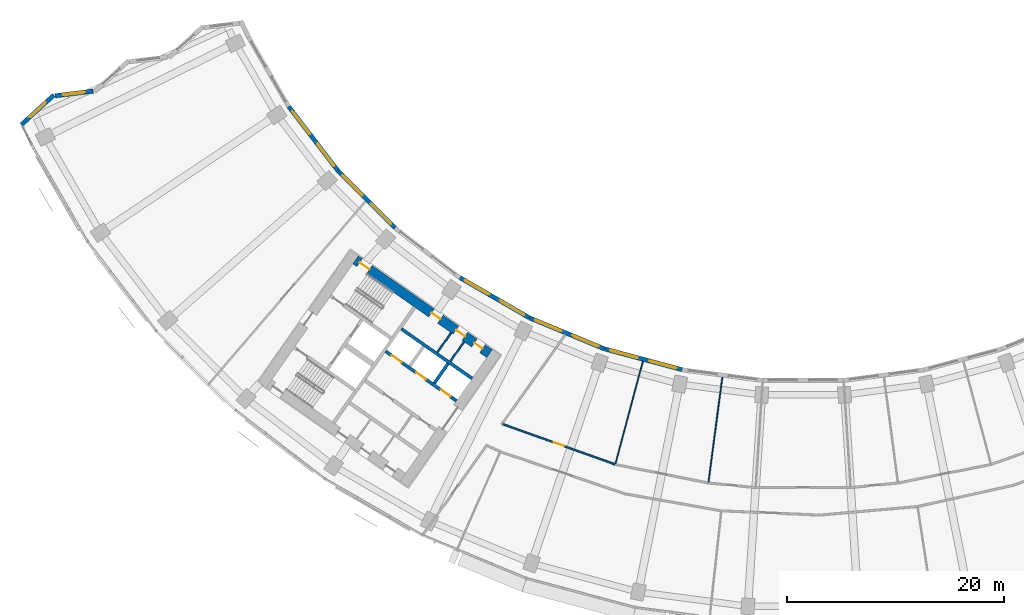
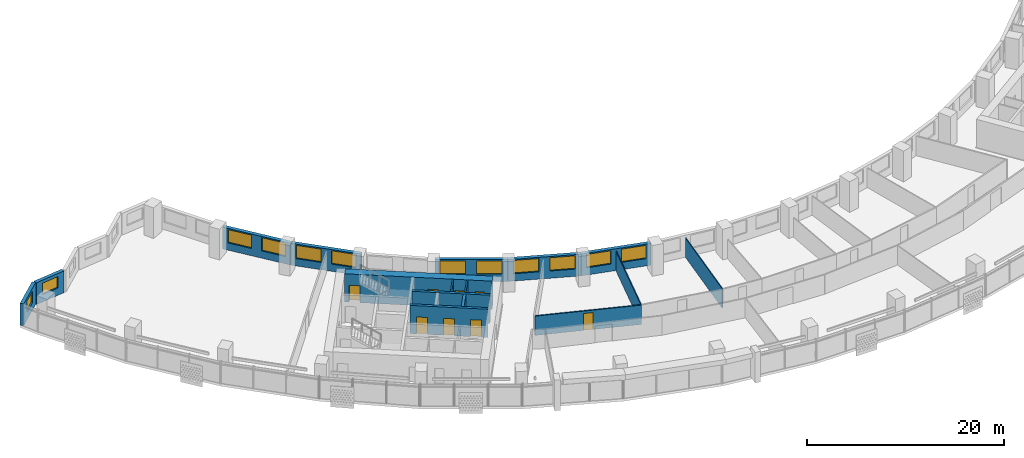
# One storey, part 4 of 29: 16 walls, 12 windows, 8 doors, 20 openings.
"""IFC4 building model written with IfcOpenShell, lengths in metres."""

from ifc_helpers import new_model, si_unit, direction, frame, frame_2d, origin, place, context, subcontext, project, spatial, rectangle, extrude, material, layer, layer_set, type_object, element, fill, save


model = new_model("IFC4")

# Units and contexts
model_context = context("Model", 3, precision=1e-05, world=origin(), true_north=direction((0.0, 1.0)))
body_context = subcontext(model_context, "Body", "Model", "MODEL_VIEW")
ifc_project = project(units=[si_unit("LENGTHUNIT", "METRE"), si_unit("AREAUNIT", "SQUARE_METRE"), si_unit("VOLUMEUNIT", "CUBIC_METRE"), si_unit("PLANEANGLEUNIT", "RADIAN"), si_unit("MASSUNIT", "GRAM", prefix="KILO")], contexts=[model_context])

# Site, building, storey
site_placement = place(None, origin())
site = spatial("IfcSite", under=ifc_project, at=site_placement, CompositionType="ELEMENT")
building_placement = place(site_placement, origin())
building = spatial("IfcBuilding", under=site, at=building_placement, Name="Qamariyya Broadcast Tower", CompositionType="ELEMENT")
storey_placement = place(building_placement, frame((0.0, 0.0, 106.300048828125)))
storey = spatial("IfcBuildingStorey", under=building, at=storey_placement, Name="L23", CompositionType="ELEMENT", Elevation=106.300048828125)

# Wall, openings, doors
ifc_material_1 = material(Name="Concrete C70/85", Category="concrete")
ifc_layer_1 = layer(ifc_material_1, 0.89990234375)
ifc_layer_set_1 = layer_set([ifc_layer_1], Name="Core wall 900 mm Concrete C70/85")
wall_type_1 = type_object("IfcWallType", Name="Core wall 900 mm Concrete C70/85", PredefinedType="SHEAR", material=ifc_layer_set_1)
wall_1_placement = place(storey_placement, frame((-28.8544921875, -54.32421875, 0.0), z_axis=(0.0, 0.0, 1.0), x_axis=(-0.819145767589, 0.573585400304, 0.0)))
wall_1 = element("IfcWall", 1, at=wall_1_placement, inside=storey, type_object=wall_type_1, Name="k-W-L23-WI", PredefinedType="SHEAR", context=body_context, shape_type="SweptSolid", body=[
    extrude(rectangle(XDim=15.04541015625, YDim=0.89990234375, at=frame_2d((7.522705078125, 0.0))), origin(), (0.0, 0.0, 1.0), 3.5),
])
opening_1_placement = place(wall_1_placement, frame((0.800048828125, 0.0, 0.0)))
opening_1 = element("IfcOpeningElement", 2, at=opening_1_placement, cuts=wall_1, Name="Opening KD5-W1", PredefinedType="OPENING", context=body_context, shape_type="SweptSolid", body=[
    extrude(rectangle(XDim=0.89990234375, YDim=2.10009765625, at=frame_2d((0.449951171875, 1.050048828125))), frame((0.0, 0.4599609375, 0.0), z_axis=(0.0, -1.0, 0.0), x_axis=(1.0, 0.0, 0.0)), (0.0, 0.0, 1.0), 0.919921875),
])
opening_2_placement = place(wall_1_placement, frame((2.77490234375, 0.0, 0.0)))
opening_2 = element("IfcOpeningElement", 3, at=opening_2_placement, cuts=wall_1, Name="Opening KD7-W1", PredefinedType="OPENING", context=body_context, shape_type="SweptSolid", body=[
    extrude(rectangle(XDim=1.0, YDim=2.10009765625, at=frame_2d((0.5, 1.050048828125))), frame((0.0, 0.4599609375, 0.0), z_axis=(0.0, -1.0, 0.0), x_axis=(1.0, 0.0, 0.0)), (0.0, 0.0, 1.0), 0.919921875),
])
opening_3_placement = place(wall_1_placement, frame((5.52490234375, 0.0, 0.0)))
opening_3 = element("IfcOpeningElement", 4, at=opening_3_placement, cuts=wall_1, Name="Opening KD6-W2", PredefinedType="OPENING", context=body_context, shape_type="SweptSolid", body=[
    extrude(rectangle(XDim=1.0, YDim=2.10009765625, at=frame_2d((0.5, 1.050048828125))), frame((0.0, 0.4599609375, 0.0), z_axis=(0.0, -1.0, 0.0), x_axis=(1.0, 0.0, 0.0)), (0.0, 0.0, 1.0), 0.919921875),
])
opening_4_placement = place(wall_1_placement, frame((13.495361328125, 0.0, 0.0)))
opening_4 = element("IfcOpeningElement", 5, at=opening_4_placement, cuts=wall_1, Name="Opening KD1-W1", PredefinedType="OPENING", context=body_context, shape_type="SweptSolid", body=[
    extrude(rectangle(XDim=1.10009765625, YDim=2.10009765625, at=frame_2d((0.550048828125, 1.050048828125))), frame((0.0, 0.4599609375, 0.0), z_axis=(0.0, -1.0, 0.0), x_axis=(1.0, 0.0, 0.0)), (0.0, 0.0, 1.0), 0.919921875),
])
ifc_material_2 = material(Name="Steel fire-resisting door leaf", Category="steel")
door_type_1 = type_object("IfcDoorType", Name="Accessible toilet door KD7", OperationType="SINGLE_SWING_LEFT", PredefinedType="DOOR", material=ifc_material_2)
door_1_placement = place(opening_2_placement, origin())
door_1 = element("IfcDoor", 6, at=door_1_placement, inside=storey, type_object=door_type_1, Name="k-W-L23-WI-D8", OperationType="SINGLE_SWING_LEFT", OverallHeight=2.10009765625, OverallWidth=1.0, PredefinedType="DOOR", context=body_context, shape_type="SweptSolid", body=[
    extrude(rectangle(XDim=1.0, YDim=2.10009765625, at=frame_2d((0.5, 1.050048828125))), frame((0.0, 0.02490234375, 0.0), z_axis=(0.0, -1.0, 0.0), x_axis=(1.0, 0.0, 0.0)), (0.0, 0.0, 1.0), 0.050048828125),
])
fill(opening_2, door_1)
door_type_2 = type_object("IfcDoorType", Name="Core room door KD6", OperationType="SINGLE_SWING_LEFT", PredefinedType="DOOR", material=ifc_material_2)
door_2_placement = place(opening_3_placement, origin())
door_2 = element("IfcDoor", 7, at=door_2_placement, inside=storey, type_object=door_type_2, Name="k-W-L23-WI-D9", OperationType="SINGLE_SWING_RIGHT", OverallHeight=2.10009765625, OverallWidth=1.0, PredefinedType="DOOR", context=body_context, shape_type="SweptSolid", body=[
    extrude(rectangle(XDim=1.0, YDim=2.10009765625, at=frame_2d((0.5, 1.050048828125))), frame((0.0, 0.02490234375, 0.0), z_axis=(0.0, -1.0, 0.0), x_axis=(1.0, 0.0, 0.0)), (0.0, 0.0, 1.0), 0.050048828125),
])
fill(opening_3, door_2)
door_type_3 = type_object("IfcDoorType", Name="Stair door KD1", OperationType="SINGLE_SWING_LEFT", PredefinedType="DOOR", material=ifc_material_2)
door_3_placement = place(opening_4_placement, origin())
door_3 = element("IfcDoor", 8, at=door_3_placement, inside=storey, type_object=door_type_3, Name="k-W-L23-WI-D16", OperationType="SINGLE_SWING_RIGHT", OverallHeight=2.10009765625, OverallWidth=1.10009765625, PredefinedType="DOOR", context=body_context, shape_type="SweptSolid", body=[
    extrude(rectangle(XDim=1.10009765625, YDim=2.10009765625, at=frame_2d((0.550048828125, 1.050048828125))), frame((0.0, 0.02490234375, 0.0), z_axis=(0.0, -1.0, 0.0), x_axis=(1.0, 0.0, 0.0)), (0.0, 0.0, 1.0), 0.050048828125),
])
fill(opening_4, door_3)
door_type_4 = type_object("IfcDoorType", Name="Toilet door KD5", OperationType="SINGLE_SWING_LEFT", PredefinedType="DOOR", material=ifc_material_2)
door_4_placement = place(opening_1_placement, origin())
door_4 = element("IfcDoor", 9, at=door_4_placement, inside=storey, type_object=door_type_4, Name="k-W-L23-WI-D7", OperationType="SINGLE_SWING_RIGHT", OverallHeight=2.10009765625, OverallWidth=0.89990234375, PredefinedType="DOOR", context=body_context, shape_type="SweptSolid", body=[
    extrude(rectangle(XDim=0.89990234375, YDim=2.10009765625, at=frame_2d((0.449951171875, 1.050048828125))), frame((0.0, 0.02490234375, 0.0), z_axis=(0.0, -1.0, 0.0), x_axis=(1.0, 0.0, 0.0)), (0.0, 0.0, 1.0), 0.050048828125),
])
fill(opening_1, door_4)

# Wall, opening, door
ifc_material_3 = material(Name="Gypsum board partition")
ifc_layer_2 = layer(ifc_material_3, 0.14990234375)
ifc_layer_set_2 = layer_set([ifc_layer_2], Name="Corridor partition 150 EI 60")
wall_type_2 = type_object("IfcWallType", Name="Corridor partition 150 EI 60", PredefinedType="PARTITIONING", material=ifc_layer_set_2)
wall_2_placement = place(storey_placement, frame((-27.64013671875, -60.806640625, 0.0), z_axis=(0.0, 0.0, 1.0), x_axis=(0.941150861554, -0.337986768669, 0.0)))
wall_2 = element("IfcWall", 10, at=wall_2_placement, inside=storey, type_object=wall_type_2, Name="Partition L23-006", PredefinedType="PARTITIONING", context=body_context, shape_type="SweptSolid", body=[
    extrude(rectangle(XDim=10.998291015625, YDim=0.14990234375, at=frame_2d((5.4990234375, 0.0))), origin(), (0.0, 0.0, 1.0), 2.39990234375),
])
opening_5_placement = place(wall_2_placement, frame((4.9990234375, 0.0, 0.0)))
opening_5 = element("IfcOpeningElement", 11, at=opening_5_placement, cuts=wall_2, Name="Opening L23-D05", PredefinedType="OPENING", context=body_context, shape_type="SweptSolid", body=[
    extrude(rectangle(XDim=1.0, YDim=2.10009765625, at=frame_2d((0.5, 1.050048828125))), frame((0.0, 0.0849609375, 0.0), z_axis=(0.0, -1.0, 0.0), x_axis=(1.0, 0.0, 0.0)), (0.0, 0.0, 1.0), 0.169921875),
])
ifc_material_4 = material(Name="Timber fire door leaf", Category="wood")
door_type_5 = type_object("IfcDoorType", Name="Fire door 1000 x 2100 FD60", OperationType="NOTDEFINED", PredefinedType="DOOR", material=ifc_material_4)
door_5_placement = place(opening_5_placement, origin())
door_5 = element("IfcDoor", 12, at=door_5_placement, inside=storey, type_object=door_type_5, Name="Door L23-D05", OperationType="SINGLE_SWING_RIGHT", OverallHeight=2.10009765625, OverallWidth=1.0, PredefinedType="DOOR", context=body_context, shape_type="SweptSolid", body=[
    extrude(rectangle(XDim=1.0, YDim=2.10009765625, at=frame_2d((0.5, 1.050048828125))), frame((0.0, 0.02490234375, 0.0), z_axis=(0.0, -1.0, 0.0), x_axis=(1.0, 0.0, 0.0)), (0.0, 0.0, 1.0), 0.050048828125),
])
fill(opening_5, door_5)

# Walls
ifc_material_5 = material(Name="Gypsum board partition on steel studs", Category="steel")
ifc_layer_3 = layer(ifc_material_5, 0.14990234375)
ifc_layer_set_3 = layer_set([ifc_layer_3], Name="Gypsum board partition 150 mm")
wall_type_3 = type_object("IfcWallType", Name="Gypsum board partition 150 mm", PredefinedType="PARTITIONING", material=ifc_layer_set_3)
wall_3_placement = place(storey_placement, frame((-32.46337890625, -55.0322265625, 0.0), z_axis=(0.0, 0.0, 1.0), x_axis=(0.573507030513, 0.819200638399, 0.0)))
element("IfcWall", 13, at=wall_3_placement, inside=storey, type_object=wall_type_3, Name="k-W-L23-NP255", PredefinedType="PARTITIONING", context=body_context, shape_type="SweptSolid", body=[
    extrude(rectangle(XDim=2.199951171875, YDim=0.14990234375, at=frame_2d((1.10009765625, 0.0))), origin(), (0.0, 0.0, 1.0), 3.5),
])
wall_4_placement = place(storey_placement, frame((-33.651123046875, -54.200439453125, 0.0), z_axis=(0.0, 0.0, 1.0), x_axis=(0.573559170999, 0.819164133348, 0.0)))
element("IfcWall", 14, at=wall_4_placement, inside=storey, type_object=wall_type_3, Name="k-W-L23-NP400", PredefinedType="PARTITIONING", context=body_context, shape_type="SweptSolid", body=[
    extrude(rectangle(XDim=2.19970703125, YDim=0.14990234375, at=frame_2d((1.099853515625, 0.0))), origin(), (0.0, 0.0, 1.0), 3.5),
])

# Wall, openings, doors
ifc_material_6 = material(Name="Concrete C60/75", Category="concrete")
ifc_layer_4 = layer(ifc_material_6, 0.300048828125)
ifc_layer_set_4 = layer_set([ifc_layer_4], Name="Lift shaft wall 300 mm Concrete C60/75")
wall_type_4 = type_object("IfcWallType", Name="Lift shaft wall 300 mm Concrete C60/75", PredefinedType="SOLIDWALL", material=ifc_layer_set_4)
wall_5_placement = place(storey_placement, frame((-31.89453125, -58.66552734375, 0.0), z_axis=(0.0, 0.0, 1.0), x_axis=(-0.819166993208, 0.573555086491, 0.0)))
wall_5 = element("IfcWall", 15, at=wall_5_placement, inside=storey, type_object=wall_type_4, Name="k-W-L23-NF0", PredefinedType="SOLIDWALL", context=body_context, shape_type="SweptSolid", body=[
    extrude(rectangle(XDim=7.9501953125, YDim=0.300048828125, at=frame_2d((3.97509765625, 0.0))), origin(), (0.0, 0.0, 1.0), 3.5),
])
opening_6_placement = place(wall_5_placement, frame((0.675048828125, 0.0, 0.0)))
opening_6 = element("IfcOpeningElement", 16, at=opening_6_placement, cuts=wall_5, Name="Opening LD", PredefinedType="OPENING", context=body_context, shape_type="SweptSolid", body=[
    extrude(rectangle(XDim=1.10009765625, YDim=2.10009765625, at=frame_2d((0.550048828125, 1.050048828125))), frame((0.0, 0.159912109375, 0.0), z_axis=(0.0, -1.0, 0.0), x_axis=(1.0, 0.0, 0.0)), (0.0, 0.0, 1.0), 0.320068359375),
])
opening_7_placement = place(wall_5_placement, frame((3.425048828125, 0.0, 0.0)))
opening_7 = element("IfcOpeningElement", 17, at=opening_7_placement, cuts=wall_5, Name="Opening LD", PredefinedType="OPENING", context=body_context, shape_type="SweptSolid", body=[
    extrude(rectangle(XDim=1.10009765625, YDim=2.10009765625, at=frame_2d((0.550048828125, 1.050048828125))), frame((0.0, 0.159912109375, 0.0), z_axis=(0.0, -1.0, 0.0), x_axis=(1.0, 0.0, 0.0)), (0.0, 0.0, 1.0), 0.320068359375),
])
opening_8_placement = place(wall_5_placement, frame((6.175048828125, 0.0, 0.0)))
opening_8 = element("IfcOpeningElement", 18, at=opening_8_placement, cuts=wall_5, Name="Opening LD", PredefinedType="OPENING", context=body_context, shape_type="SweptSolid", body=[
    extrude(rectangle(XDim=1.10009765625, YDim=2.10009765625, at=frame_2d((0.550048828125, 1.050048828125))), frame((0.0, 0.159912109375, 0.0), z_axis=(0.0, -1.0, 0.0), x_axis=(1.0, 0.0, 0.0)), (0.0, 0.0, 1.0), 0.320068359375),
])
door_type_6 = type_object("IfcDoorType", Name="Lift landing door LD", OperationType="DOUBLE_DOOR_SLIDING", PredefinedType="DOOR", material=ifc_material_2)
door_6_placement = place(opening_6_placement, origin())
door_6 = element("IfcDoor", 19, at=door_6_placement, inside=storey, type_object=door_type_6, Name="k-W-L23-NF0-D2", OperationType="DOUBLE_DOOR_SLIDING", OverallHeight=2.10009765625, OverallWidth=1.10009765625, PredefinedType="DOOR", context=body_context, shape_type="SweptSolid", body=[
    extrude(rectangle(XDim=1.10009765625, YDim=2.10009765625, at=frame_2d((0.550048828125, 1.050048828125))), frame((0.0, 0.02490234375, 0.0), z_axis=(0.0, -1.0, 0.0), x_axis=(1.0, 0.0, 0.0)), (0.0, 0.0, 1.0), 0.050048828125),
])
fill(opening_6, door_6)
door_7_placement = place(opening_7_placement, origin())
door_7 = element("IfcDoor", 20, at=door_7_placement, inside=storey, type_object=door_type_6, Name="k-W-L23-NF0-D3", OperationType="DOUBLE_DOOR_SLIDING", OverallHeight=2.10009765625, OverallWidth=1.10009765625, PredefinedType="DOOR", context=body_context, shape_type="SweptSolid", body=[
    extrude(rectangle(XDim=1.10009765625, YDim=2.10009765625, at=frame_2d((0.550048828125, 1.050048828125))), frame((0.0, 0.02490234375, 0.0), z_axis=(0.0, -1.0, 0.0), x_axis=(1.0, 0.0, 0.0)), (0.0, 0.0, 1.0), 0.050048828125),
])
fill(opening_7, door_7)
door_8_placement = place(opening_8_placement, origin())
door_8 = element("IfcDoor", 21, at=door_8_placement, inside=storey, type_object=door_type_6, Name="k-W-L23-NF0-D4", OperationType="DOUBLE_DOOR_SLIDING", OverallHeight=2.10009765625, OverallWidth=1.10009765625, PredefinedType="DOOR", context=body_context, shape_type="SweptSolid", body=[
    extrude(rectangle(XDim=1.10009765625, YDim=2.10009765625, at=frame_2d((0.550048828125, 1.050048828125))), frame((0.0, 0.02490234375, 0.0), z_axis=(0.0, -1.0, 0.0), x_axis=(1.0, 0.0, 0.0)), (0.0, 0.0, 1.0), 0.050048828125),
])
fill(opening_8, door_8)

# Walls
wall_6_placement = place(storey_placement, frame((-30.460693359375, -56.61767578125, 0.0), z_axis=(0.0, 0.0, 1.0), x_axis=(-0.819142461705, 0.573590121456, 0.0)))
element("IfcWall", 22, at=wall_6_placement, inside=storey, type_object=wall_type_4, Name="k-W-L23-NB0", PredefinedType="SOLIDWALL", context=body_context, shape_type="SweptSolid", body=[
    extrude(rectangle(XDim=7.949951171875, YDim=0.300048828125, at=frame_2d((3.97509765625, 0.0))), origin(), (0.0, 0.0, 1.0), 3.5),
])
wall_7_placement = place(storey_placement, frame((-33.9384765625, -57.051513671875, 0.0), z_axis=(0.0, 0.0, 1.0), x_axis=(0.573581496053, 0.819148501424, 0.0)))
element("IfcWall", 23, at=wall_7_placement, inside=storey, type_object=wall_type_4, Name="k-W-L23-ND0", PredefinedType="SOLIDWALL", context=body_context, shape_type="SweptSolid", body=[
    extrude(rectangle(XDim=2.2001953125, YDim=0.300048828125, at=frame_2d((1.10009765625, 0.0))), origin(), (0.0, 0.0, 1.0), 3.5),
])
ifc_layer_5 = layer(ifc_material_3, 0.10009765625)
ifc_layer_set_5 = layer_set([ifc_layer_5], Name="Partition 100")
wall_type_5 = type_object("IfcWallType", Name="Partition 100", PredefinedType="PARTITIONING", material=ifc_layer_set_5)
for number, where, z_axis, x_axis, name in (
    (24, (-14.7470703125, -55.037109375, 0.0), (0.0, 0.0, 1.0), (-0.258833329344, -0.965921998725, 0.0), "Partition L23-010"),
    (25, (-7.437255859375, -56.4912109375, 0.0), (0.0, 0.0, 1.0), (-0.13053421433, -0.99144380521, 0.0), "Partition L23-014"),
):
    element("IfcWall", number, at=place(storey_placement, frame(where, z_axis=z_axis, x_axis=x_axis)), inside=storey, type_object=wall_type_5, Name=name, PredefinedType="PARTITIONING", context=body_context, shape_type="SweptSolid", body=[
        extrude(rectangle(XDim=9.746337890625, YDim=0.10009765625, at=frame_2d((4.873046875, 0.0))), origin(), (0.0, 0.0, 1.0), 2.39990234375),
    ])

# Wall, opening, window
ifc_material_7 = material(Name="Terracotta", Category="masonry")
ifc_layer_6 = layer(ifc_material_7, 0.39990234375)
ifc_layer_set_6 = layer_set([ifc_layer_6], Name="Terracotta clad wall 400")
wall_type_6 = type_object("IfcWallType", Name="Terracotta clad wall 400", PredefinedType="SOLIDWALL", material=ifc_layer_set_6)
wall_8_placement = place(storey_placement, frame((-65.3359375, -30.171875, 0.0), z_axis=(0.0, 0.0, 1.0), x_axis=(-0.992630648738, -0.121179186278, 0.0)))
wall_8 = element("IfcWall", 26, at=wall_8_placement, inside=storey, type_object=wall_type_6, Name="e-wl-L23-capW4", PredefinedType="SOLIDWALL", context=body_context, shape_type="SweptSolid", body=[
    extrude(rectangle(XDim=3.525634765625, YDim=0.39990234375, at=frame_2d((1.7626953125, 0.0))), origin(), (0.0, 0.0, 1.0), 2.699951171875),
])
opening_9_placement = place(wall_8_placement, frame((0.762939453125, 0.0, 0.89990234375)))
opening_9 = element("IfcOpeningElement", 27, at=opening_9_placement, cuts=wall_8, Name="Opening W4", PredefinedType="OPENING", context=body_context, shape_type="SweptSolid", body=[
    extrude(rectangle(XDim=2.0, YDim=1.425048828125, at=frame_2d((1.0, 0.71240234375))), frame((0.0, 0.2099609375, 0.0), z_axis=(0.0, -1.0, 0.0), x_axis=(1.0, 0.0, 0.0)), (0.0, 0.0, 1.0), 0.419921875),
])
ifc_material_8 = material(Name="Clear low-e double glazed unit in aluminium frame", Category="aluminium")
window_type_1 = type_object("IfcWindowType", Name="Horn bay window 2000 x 1425", PartitioningType="SINGLE_PANEL", PredefinedType="WINDOW", material=ifc_material_8)
window_1_placement = place(opening_9_placement, origin())
window_1 = element("IfcWindow", 28, at=window_1_placement, inside=storey, type_object=window_type_1, Name="e-w-L23-capW4", OverallHeight=1.425048828125, OverallWidth=2.0, PartitioningType="SINGLE_PANEL", PredefinedType="WINDOW", context=body_context, shape_type="SweptSolid", body=[
    extrude(rectangle(XDim=2.0, YDim=1.425048828125, at=frame_2d((1.0, 0.71240234375))), frame((0.0, 0.030029296875, 0.0), z_axis=(0.0, -1.0, 0.0), x_axis=(1.0, 0.0, 0.0)), (0.0, 0.0, 1.0), 0.06005859375),
])
fill(opening_9, window_1)

wall_9_placement = place(storey_placement, frame((-68.95849609375, -30.546875, 0.0), z_axis=(0.0, 0.0, 1.0), x_axis=(-0.739626211625, -0.673017880206, 0.0)))
wall_9 = element("IfcWall", 29, at=wall_9_placement, inside=storey, type_object=wall_type_6, Name="e-wl-L23-capW5", PredefinedType="SOLIDWALL", context=body_context, shape_type="SweptSolid", body=[
    extrude(rectangle(XDim=4.013427734375, YDim=0.39990234375, at=frame_2d((2.0068359375, 0.0))), origin(), (0.0, 0.0, 1.0), 2.699951171875),
])
opening_10_placement = place(wall_9_placement, frame((1.0068359375, 0.0, 0.89990234375)))
opening_10 = element("IfcOpeningElement", 30, at=opening_10_placement, cuts=wall_9, Name="Opening W4", PredefinedType="OPENING", context=body_context, shape_type="SweptSolid", body=[
    extrude(rectangle(XDim=2.0, YDim=1.425048828125, at=frame_2d((1.0, 0.71240234375))), frame((0.0, 0.2099609375, 0.0), z_axis=(0.0, -1.0, 0.0), x_axis=(1.0, 0.0, 0.0)), (0.0, 0.0, 1.0), 0.419921875),
])
window_2_placement = place(opening_10_placement, origin())
window_2 = element("IfcWindow", 31, at=window_2_placement, inside=storey, type_object=window_type_1, Name="e-w-L23-capW5", OverallHeight=1.425048828125, OverallWidth=2.0, PartitioningType="SINGLE_PANEL", PredefinedType="WINDOW", context=body_context, shape_type="SweptSolid", body=[
    extrude(rectangle(XDim=2.0, YDim=1.425048828125, at=frame_2d((1.0, 0.71240234375))), frame((0.0, 0.030029296875, 0.0), z_axis=(0.0, -1.0, 0.0), x_axis=(1.0, 0.0, 0.0)), (0.0, 0.0, 1.0), 0.06005859375),
])
fill(opening_10, window_2)

# Wall, openings, windows
wall_10_placement = place(storey_placement, frame((-42.764892578125, -37.536865234375, 0.0), z_axis=(0.0, 0.0, 1.0), x_axis=(-0.608748204711, 0.793363487476, 0.0)))
wall_10 = element("IfcWall", 32, at=wall_10_placement, inside=storey, type_object=wall_type_6, Name="e-wl-L23-in20", PredefinedType="SOLIDWALL", context=body_context, shape_type="SweptSolid", body=[
    extrude(rectangle(XDim=7.492919921875, YDim=0.39990234375, at=frame_2d((3.74658203125, 0.0))), origin(), (0.0, 0.0, 1.0), 2.699951171875),
])
opening_11_placement = place(wall_10_placement, frame((4.300537109375, 0.0, 0.89990234375)))
opening_11 = element("IfcOpeningElement", 33, at=opening_11_placement, cuts=wall_10, Name="Opening W1", PredefinedType="OPENING", context=body_context, shape_type="SweptSolid", body=[
    extrude(rectangle(XDim=2.60009765625, YDim=1.64990234375, at=frame_2d((1.300048828125, 0.824951171875))), frame((0.0, 0.2099609375, 0.0), z_axis=(0.0, -1.0, 0.0), x_axis=(1.0, 0.0, 0.0)), (0.0, 0.0, 1.0), 0.419921875),
])
opening_12_placement = place(wall_10_placement, frame((0.59228515625, 0.0, 0.89990234375)))
opening_12 = element("IfcOpeningElement", 34, at=opening_12_placement, cuts=wall_10, Name="Opening W1", PredefinedType="OPENING", context=body_context, shape_type="SweptSolid", body=[
    extrude(rectangle(XDim=2.60009765625, YDim=1.64990234375, at=frame_2d((1.300048828125, 0.824951171875))), frame((0.0, 0.2099609375, 0.0), z_axis=(0.0, -1.0, 0.0), x_axis=(1.0, 0.0, 0.0)), (0.0, 0.0, 1.0), 0.419921875),
])
window_type_2 = type_object("IfcWindowType", Name="Ribbon window 2600 x 1650", PartitioningType="SINGLE_PANEL", PredefinedType="WINDOW", material=ifc_material_8)
window_3_placement = place(opening_11_placement, origin())
window_3 = element("IfcWindow", 35, at=window_3_placement, inside=storey, type_object=window_type_2, Name="e-w-L23-in02-0", OverallHeight=1.64990234375, OverallWidth=2.60009765625, PartitioningType="SINGLE_PANEL", PredefinedType="WINDOW", context=body_context, shape_type="SweptSolid", body=[
    extrude(rectangle(XDim=2.60009765625, YDim=1.64990234375, at=frame_2d((1.300048828125, 0.824951171875))), frame((0.0, 0.030029296875, 0.0), z_axis=(0.0, -1.0, 0.0), x_axis=(1.0, 0.0, 0.0)), (0.0, 0.0, 1.0), 0.06005859375),
])
fill(opening_11, window_3)
window_4_placement = place(opening_12_placement, origin())
window_4 = element("IfcWindow", 36, at=window_4_placement, inside=storey, type_object=window_type_2, Name="e-w-L23-in02-1", OverallHeight=1.64990234375, OverallWidth=2.60009765625, PartitioningType="SINGLE_PANEL", PredefinedType="WINDOW", context=body_context, shape_type="SweptSolid", body=[
    extrude(rectangle(XDim=2.60009765625, YDim=1.64990234375, at=frame_2d((1.300048828125, 0.824951171875))), frame((0.0, 0.030029296875, 0.0), z_axis=(0.0, -1.0, 0.0), x_axis=(1.0, 0.0, 0.0)), (0.0, 0.0, 1.0), 0.06005859375),
])
fill(opening_12, window_4)

wall_11_placement = place(storey_placement, frame((-37.552978515625, -42.744140625, 0.0), z_axis=(0.0, 0.0, 1.0), x_axis=(-0.707106781187, 0.707106781187, 0.0)))
wall_11 = element("IfcWall", 37, at=wall_11_placement, inside=storey, type_object=wall_type_6, Name="e-wl-L23-in30", PredefinedType="SOLIDWALL", context=body_context, shape_type="SweptSolid", body=[
    extrude(rectangle(XDim=7.34130859375, YDim=0.39990234375, at=frame_2d((3.670654296875, 0.0))), origin(), (0.0, 0.0, 1.0), 2.699951171875),
])
opening_13_placement = place(wall_11_placement, frame((4.224853515625, 0.0, 0.89990234375)))
opening_13 = element("IfcOpeningElement", 38, at=opening_13_placement, cuts=wall_11, Name="Opening W1", PredefinedType="OPENING", context=body_context, shape_type="SweptSolid", body=[
    extrude(rectangle(XDim=2.60009765625, YDim=1.64990234375, at=frame_2d((1.300048828125, 0.824951171875))), frame((0.0, 0.2099609375, 0.0), z_axis=(0.0, -1.0, 0.0), x_axis=(1.0, 0.0, 0.0)), (0.0, 0.0, 1.0), 0.419921875),
])
opening_14_placement = place(wall_11_placement, frame((0.5166015625, 0.0, 0.89990234375)))
opening_14 = element("IfcOpeningElement", 39, at=opening_14_placement, cuts=wall_11, Name="Opening W1", PredefinedType="OPENING", context=body_context, shape_type="SweptSolid", body=[
    extrude(rectangle(XDim=2.60009765625, YDim=1.64990234375, at=frame_2d((1.300048828125, 0.824951171875))), frame((0.0, 0.2099609375, 0.0), z_axis=(0.0, -1.0, 0.0), x_axis=(1.0, 0.0, 0.0)), (0.0, 0.0, 1.0), 0.419921875),
])
window_5_placement = place(opening_13_placement, origin())
window_5 = element("IfcWindow", 40, at=window_5_placement, inside=storey, type_object=window_type_2, Name="e-w-L23-in03-0", OverallHeight=1.64990234375, OverallWidth=2.60009765625, PartitioningType="SINGLE_PANEL", PredefinedType="WINDOW", context=body_context, shape_type="SweptSolid", body=[
    extrude(rectangle(XDim=2.60009765625, YDim=1.64990234375, at=frame_2d((1.300048828125, 0.824951171875))), frame((0.0, 0.030029296875, 0.0), z_axis=(0.0, -1.0, 0.0), x_axis=(1.0, 0.0, 0.0)), (0.0, 0.0, 1.0), 0.06005859375),
])
fill(opening_13, window_5)
window_6_placement = place(opening_14_placement, origin())
window_6 = element("IfcWindow", 41, at=window_6_placement, inside=storey, type_object=window_type_2, Name="e-w-L23-in03-1", OverallHeight=1.64990234375, OverallWidth=2.60009765625, PartitioningType="SINGLE_PANEL", PredefinedType="WINDOW", context=body_context, shape_type="SweptSolid", body=[
    extrude(rectangle(XDim=2.60009765625, YDim=1.64990234375, at=frame_2d((1.300048828125, 0.824951171875))), frame((0.0, 0.030029296875, 0.0), z_axis=(0.0, -1.0, 0.0), x_axis=(1.0, 0.0, 0.0)), (0.0, 0.0, 1.0), 0.06005859375),
])
fill(opening_14, window_6)

wall_12_placement = place(storey_placement, frame((-25.21044921875, -51.007080078125, 0.0), z_axis=(0.0, 0.0, 1.0), x_axis=(-0.866030525931, 0.499991128077, 0.0)))
wall_12 = element("IfcWall", 42, at=wall_12_placement, inside=storey, type_object=wall_type_6, Name="e-wl-L23-in50", PredefinedType="SOLIDWALL", context=body_context, shape_type="SweptSolid", body=[
    extrude(rectangle(XDim=7.341552734375, YDim=0.39990234375, at=frame_2d((3.6708984375, 0.0))), origin(), (0.0, 0.0, 1.0), 2.699951171875),
])
opening_15_placement = place(wall_12_placement, frame((4.224853515625, 0.0, 0.89990234375)))
opening_15 = element("IfcOpeningElement", 43, at=opening_15_placement, cuts=wall_12, Name="Opening W1", PredefinedType="OPENING", context=body_context, shape_type="SweptSolid", body=[
    extrude(rectangle(XDim=2.60009765625, YDim=1.64990234375, at=frame_2d((1.300048828125, 0.824951171875))), frame((0.0, 0.2099609375, 0.0), z_axis=(0.0, -1.0, 0.0), x_axis=(1.0, 0.0, 0.0)), (0.0, 0.0, 1.0), 0.419921875),
])
opening_16_placement = place(wall_12_placement, frame((0.5166015625, 0.0, 0.89990234375)))
opening_16 = element("IfcOpeningElement", 44, at=opening_16_placement, cuts=wall_12, Name="Opening W1", PredefinedType="OPENING", context=body_context, shape_type="SweptSolid", body=[
    extrude(rectangle(XDim=2.60009765625, YDim=1.64990234375, at=frame_2d((1.300048828125, 0.824951171875))), frame((0.0, 0.2099609375, 0.0), z_axis=(0.0, -1.0, 0.0), x_axis=(1.0, 0.0, 0.0)), (0.0, 0.0, 1.0), 0.419921875),
])
window_7_placement = place(opening_15_placement, origin())
window_7 = element("IfcWindow", 45, at=window_7_placement, inside=storey, type_object=window_type_2, Name="e-w-L23-in05-0", OverallHeight=1.64990234375, OverallWidth=2.60009765625, PartitioningType="SINGLE_PANEL", PredefinedType="WINDOW", context=body_context, shape_type="SweptSolid", body=[
    extrude(rectangle(XDim=2.60009765625, YDim=1.64990234375, at=frame_2d((1.300048828125, 0.824951171875))), frame((0.0, 0.030029296875, 0.0), z_axis=(0.0, -1.0, 0.0), x_axis=(1.0, 0.0, 0.0)), (0.0, 0.0, 1.0), 0.06005859375),
])
fill(opening_15, window_7)
window_8_placement = place(opening_16_placement, origin())
window_8 = element("IfcWindow", 46, at=window_8_placement, inside=storey, type_object=window_type_2, Name="e-w-L23-in05-1", OverallHeight=1.64990234375, OverallWidth=2.60009765625, PartitioningType="SINGLE_PANEL", PredefinedType="WINDOW", context=body_context, shape_type="SweptSolid", body=[
    extrude(rectangle(XDim=2.60009765625, YDim=1.64990234375, at=frame_2d((1.300048828125, 0.824951171875))), frame((0.0, 0.030029296875, 0.0), z_axis=(0.0, -1.0, 0.0), x_axis=(1.0, 0.0, 0.0)), (0.0, 0.0, 1.0), 0.06005859375),
])
fill(opening_16, window_8)

wall_13_placement = place(storey_placement, frame((-18.266845703125, -53.890380859375, 0.0), z_axis=(0.0, 0.0, 1.0), x_axis=(-0.923879826967, 0.382682721486, 0.0)))
wall_13 = element("IfcWall", 47, at=wall_13_placement, inside=storey, type_object=wall_type_6, Name="e-wl-L23-in60", PredefinedType="SOLIDWALL", context=body_context, shape_type="SweptSolid", body=[
    extrude(rectangle(XDim=7.492919921875, YDim=0.39990234375, at=frame_2d((3.74658203125, 0.0))), origin(), (0.0, 0.0, 1.0), 2.699951171875),
])
opening_17_placement = place(wall_13_placement, frame((4.300537109375, 0.0, 0.89990234375)))
opening_17 = element("IfcOpeningElement", 48, at=opening_17_placement, cuts=wall_13, Name="Opening W1", PredefinedType="OPENING", context=body_context, shape_type="SweptSolid", body=[
    extrude(rectangle(XDim=2.60009765625, YDim=1.64990234375, at=frame_2d((1.300048828125, 0.824951171875))), frame((0.0, 0.2099609375, 0.0), z_axis=(0.0, -1.0, 0.0), x_axis=(1.0, 0.0, 0.0)), (0.0, 0.0, 1.0), 0.419921875),
])
opening_18_placement = place(wall_13_placement, frame((0.59228515625, 0.0, 0.89990234375)))
opening_18 = element("IfcOpeningElement", 49, at=opening_18_placement, cuts=wall_13, Name="Opening W1", PredefinedType="OPENING", context=body_context, shape_type="SweptSolid", body=[
    extrude(rectangle(XDim=2.60009765625, YDim=1.64990234375, at=frame_2d((1.300048828125, 0.824951171875))), frame((0.0, 0.2099609375, 0.0), z_axis=(0.0, -1.0, 0.0), x_axis=(1.0, 0.0, 0.0)), (0.0, 0.0, 1.0), 0.419921875),
])
window_9_placement = place(opening_17_placement, origin())
window_9 = element("IfcWindow", 50, at=window_9_placement, inside=storey, type_object=window_type_2, Name="e-w-L23-in06-0", OverallHeight=1.64990234375, OverallWidth=2.60009765625, PartitioningType="SINGLE_PANEL", PredefinedType="WINDOW", context=body_context, shape_type="SweptSolid", body=[
    extrude(rectangle(XDim=2.60009765625, YDim=1.64990234375, at=frame_2d((1.300048828125, 0.824951171875))), frame((0.0, 0.030029296875, 0.0), z_axis=(0.0, -1.0, 0.0), x_axis=(1.0, 0.0, 0.0)), (0.0, 0.0, 1.0), 0.06005859375),
])
fill(opening_17, window_9)
window_10_placement = place(opening_18_placement, origin())
window_10 = element("IfcWindow", 51, at=window_10_placement, inside=storey, type_object=window_type_2, Name="e-w-L23-in06-1", OverallHeight=1.64990234375, OverallWidth=2.60009765625, PartitioningType="SINGLE_PANEL", PredefinedType="WINDOW", context=body_context, shape_type="SweptSolid", body=[
    extrude(rectangle(XDim=2.60009765625, YDim=1.64990234375, at=frame_2d((1.300048828125, 0.824951171875))), frame((0.0, 0.030029296875, 0.0), z_axis=(0.0, -1.0, 0.0), x_axis=(1.0, 0.0, 0.0)), (0.0, 0.0, 1.0), 0.06005859375),
])
fill(opening_18, window_10)

wall_14_placement = place(storey_placement, frame((-11.149658203125, -55.7939453125, 0.0), z_axis=(0.0, 0.0, 1.0), x_axis=(-0.965924597867, 0.258823629594, 0.0)))
wall_14 = element("IfcWall", 52, at=wall_14_placement, inside=storey, type_object=wall_type_6, Name="e-wl-L23-in70", PredefinedType="SOLIDWALL", context=body_context, shape_type="SweptSolid", body=[
    extrude(rectangle(XDim=7.341552734375, YDim=0.39990234375, at=frame_2d((3.6708984375, 0.0))), origin(), (0.0, 0.0, 1.0), 2.699951171875),
])
opening_19_placement = place(wall_14_placement, frame((4.224853515625, 0.0, 0.89990234375)))
opening_19 = element("IfcOpeningElement", 53, at=opening_19_placement, cuts=wall_14, Name="Opening W1", PredefinedType="OPENING", context=body_context, shape_type="SweptSolid", body=[
    extrude(rectangle(XDim=2.60009765625, YDim=1.64990234375, at=frame_2d((1.300048828125, 0.824951171875))), frame((0.0, 0.2099609375, 0.0), z_axis=(0.0, -1.0, 0.0), x_axis=(1.0, 0.0, 0.0)), (0.0, 0.0, 1.0), 0.419921875),
])
opening_20_placement = place(wall_14_placement, frame((0.5166015625, 0.0, 0.89990234375)))
opening_20 = element("IfcOpeningElement", 54, at=opening_20_placement, cuts=wall_14, Name="Opening W1", PredefinedType="OPENING", context=body_context, shape_type="SweptSolid", body=[
    extrude(rectangle(XDim=2.60009765625, YDim=1.64990234375, at=frame_2d((1.300048828125, 0.824951171875))), frame((0.0, 0.2099609375, 0.0), z_axis=(0.0, -1.0, 0.0), x_axis=(1.0, 0.0, 0.0)), (0.0, 0.0, 1.0), 0.419921875),
])
window_11_placement = place(opening_19_placement, origin())
window_11 = element("IfcWindow", 55, at=window_11_placement, inside=storey, type_object=window_type_2, Name="e-w-L23-in07-0", OverallHeight=1.64990234375, OverallWidth=2.60009765625, PartitioningType="SINGLE_PANEL", PredefinedType="WINDOW", context=body_context, shape_type="SweptSolid", body=[
    extrude(rectangle(XDim=2.60009765625, YDim=1.64990234375, at=frame_2d((1.300048828125, 0.824951171875))), frame((0.0, 0.030029296875, 0.0), z_axis=(0.0, -1.0, 0.0), x_axis=(1.0, 0.0, 0.0)), (0.0, 0.0, 1.0), 0.06005859375),
])
fill(opening_19, window_11)
window_12_placement = place(opening_20_placement, origin())
window_12 = element("IfcWindow", 56, at=window_12_placement, inside=storey, type_object=window_type_2, Name="e-w-L23-in07-1", OverallHeight=1.64990234375, OverallWidth=2.60009765625, PartitioningType="SINGLE_PANEL", PredefinedType="WINDOW", context=body_context, shape_type="SweptSolid", body=[
    extrude(rectangle(XDim=2.60009765625, YDim=1.64990234375, at=frame_2d((1.300048828125, 0.824951171875))), frame((0.0, 0.030029296875, 0.0), z_axis=(0.0, -1.0, 0.0), x_axis=(1.0, 0.0, 0.0)), (0.0, 0.0, 1.0), 0.06005859375),
])
fill(opening_20, window_12)

save(model, "model.ifc")
